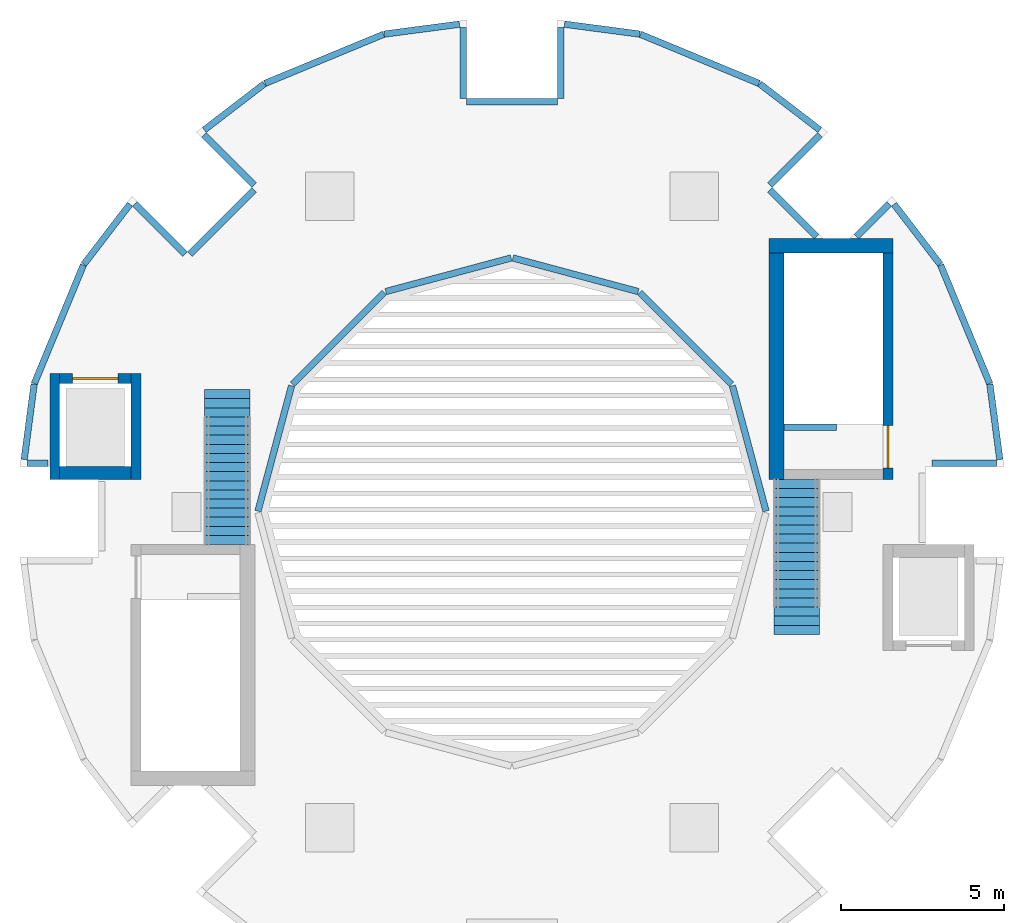
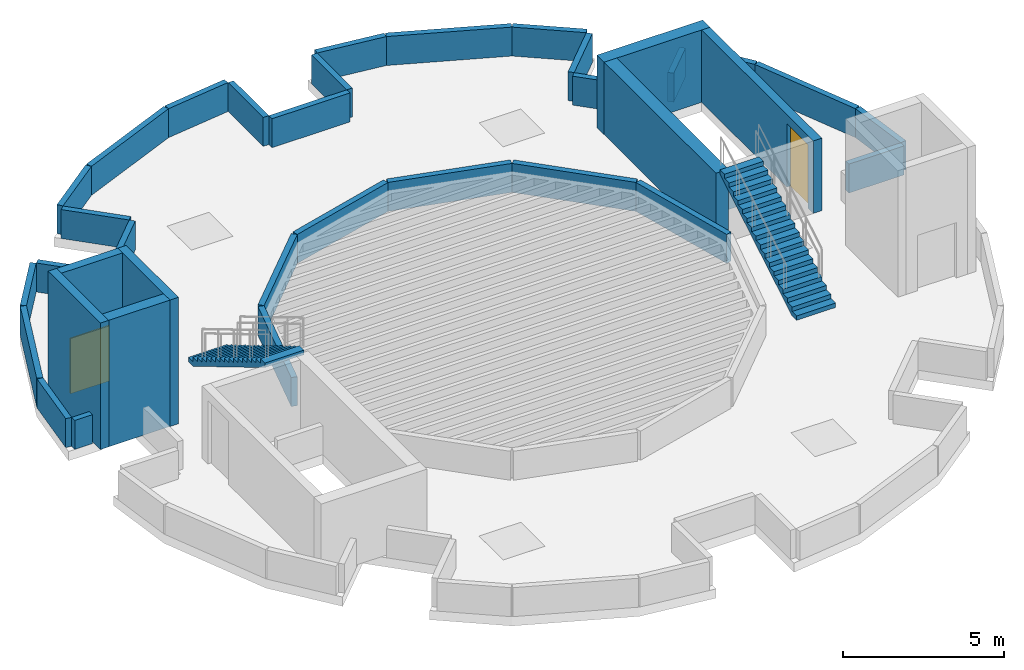
# One storey, part 2 of 4: 37 walls, 2 doors, 2 stair flights, 2 openings, 2 elements without a shape of their own.
"""IFC4 building model written with IfcOpenShell, lengths in metres."""

from ifc_helpers import new_model, si_unit, direction, frame, frame_2d, origin, place, context, subcontext, project, spatial, polyline, rectangle, outline, extrude, material, layer, layer_set, type_object, element, fill, aggregate, save


model = new_model("IFC4")

# Units and contexts
model_context = context("Model", 3, precision=1e-05, world=origin(), true_north=direction((0.0, 1.0)))
body_context = subcontext(model_context, "Body", "Model", "MODEL_VIEW")
ifc_project = project(units=[si_unit("LENGTHUNIT", "METRE"), si_unit("AREAUNIT", "SQUARE_METRE"), si_unit("VOLUMEUNIT", "CUBIC_METRE"), si_unit("PLANEANGLEUNIT", "RADIAN"), si_unit("MASSUNIT", "GRAM", prefix="KILO")], contexts=[model_context])

# Site, building, storey
site_placement = place(None, origin())
site = spatial("IfcSite", under=ifc_project, at=site_placement, CompositionType="ELEMENT")
building_placement = place(site_placement, origin())
building = spatial("IfcBuilding", under=site, at=building_placement, Name="Torre Brocal", CompositionType="ELEMENT")
storey_placement = place(building_placement, frame((0.0, 0.0, 337.60009765625)))
storey = spatial("IfcBuildingStorey", under=building, at=storey_placement, Name="RF", CompositionType="ELEMENT", Elevation=337.60009765625)

# Walls
ifc_material_1 = material(Name="Concrete C50", Category="concrete")
ifc_layer_1 = layer(ifc_material_1, 0.300048828125)
ifc_layer_set_1 = layer_set([ifc_layer_1], Name="Concrete C50")
wall_type_1 = type_object("IfcWallType", Name="CORE WALL 300 C50 UNDER 300 SLAB LIFT OVERRUN", PredefinedType="SHEAR", material=ifc_layer_set_1)
for number, where, z_axis, x_axis, name in (
    (1, (68.449951171875, 79.25, 0.0), (0.0, 0.0, 1.0), (0.0, -1.0, 0.0), "Wall CW300-50-LO"),
    (2, (65.949951171875, 79.25, 0.0), (0.0, 0.0, 1.0), (0.0, -1.0, 0.0), "Wall CW300-50-LO"),
):
    element("IfcWall", number, at=place(storey_placement, frame(where, z_axis=z_axis, x_axis=x_axis)), inside=storey, type_object=wall_type_1, Name=name, PredefinedType="SHEAR", context=body_context, shape_type="SweptSolid", body=[
        extrude(rectangle(XDim=3.25, YDim=0.300048828125, at=frame_2d((1.625, 0.0))), origin(), (0.0, 0.0, 1.0), 4.7998046875),
    ])

# Wall, opening, door
wall_1_placement = place(storey_placement, frame((68.300048828125, 79.10009765625, 0.0), z_axis=(0.0, 0.0, 1.0), x_axis=(-1.0, 0.0, 0.0)))
wall_1 = element("IfcWall", 3, at=wall_1_placement, inside=storey, type_object=wall_type_1, Name="Wall CW300-50-LO", PredefinedType="SHEAR", context=body_context, shape_type="SweptSolid", body=[
    extrude(rectangle(XDim=2.199951171875, YDim=0.300048828125, at=frame_2d((1.10009765625, 0.0))), origin(), (0.0, 0.0, 1.0), 4.7998046875),
])
opening_1_placement = place(wall_1_placement, frame((0.39990234375, 0.0, 0.0)))
opening_1 = element("IfcOpeningElement", 4, at=opening_1_placement, cuts=wall_1, Name="Opening LD14", PredefinedType="OPENING", context=body_context, shape_type="SweptSolid", body=[
    extrude(rectangle(XDim=1.39990234375, YDim=2.10009765625, at=frame_2d((0.699951171875, 1.050048828125))), frame((0.0, 0.159912109375, 0.0), z_axis=(0.0, -1.0, 0.0), x_axis=(1.0, 0.0, 0.0)), (0.0, 0.0, 1.0), 0.320068359375),
])
ifc_material_2 = material(Name="Stainless steel AISI 316", Category="steel")
door_type_1 = type_object("IfcDoorType", Name="LIFT LANDING DOOR 1400X2100", OperationType="DOUBLE_DOOR_SLIDING", PredefinedType="DOOR", material=ifc_material_2)
door_1_placement = place(opening_1_placement, origin())
door_1 = element("IfcDoor", 5, at=door_1_placement, inside=storey, type_object=door_type_1, Name="Door LD14", OperationType="DOUBLE_DOOR_SLIDING", OverallHeight=2.10009765625, OverallWidth=1.39990234375, PredefinedType="DOOR", context=body_context, shape_type="SweptSolid", body=[
    extrude(rectangle(XDim=1.39990234375, YDim=2.10009765625, at=frame_2d((0.699951171875, 1.050048828125))), frame((0.0, 0.02490234375, 0.0), z_axis=(0.0, -1.0, 0.0), x_axis=(1.0, 0.0, 0.0)), (0.0, 0.0, 1.0), 0.050048828125),
])
fill(opening_1, door_1)

ifc_material_3 = material(Name="Concrete C50", Category="concrete")
ifc_layer_2 = layer(ifc_material_3, 0.300048828125)
ifc_layer_set_2 = layer_set([ifc_layer_2], Name="Concrete C50")
wall_type_2 = type_object("IfcWallType", Name="CORE WALL 300 C50 UNDER 300 SLAB STAIR HEAD-HOUSE", PredefinedType="SHEAR", material=ifc_layer_set_2)
wall_2_placement = place(storey_placement, frame((91.550048828125, 76.0, 0.0), z_axis=(0.0, 0.0, 1.0), x_axis=(0.0, 1.0, 0.0)))
wall_2 = element("IfcWall", 6, at=wall_2_placement, inside=storey, type_object=wall_type_2, Name="Wall CW300-50-SH", PredefinedType="SHEAR", context=body_context, shape_type="SweptSolid", body=[
    extrude(rectangle(XDim=6.949951171875, YDim=0.300048828125, at=frame_2d((3.47509765625, 0.0))), origin(), (0.0, 0.0, 1.0), 2.75),
])
opening_2_placement = place(wall_2_placement, frame((0.35009765625, 0.0, 0.0)))
opening_2 = element("IfcOpeningElement", 7, at=opening_2_placement, cuts=wall_2, Name="Opening E-D14", PredefinedType="OPENING", context=body_context, shape_type="SweptSolid", body=[
    extrude(rectangle(XDim=1.300048828125, YDim=2.39990234375, at=frame_2d((0.64990234375, 1.199951171875))), frame((0.0, 0.159912109375, 0.0), z_axis=(0.0, -1.0, 0.0), x_axis=(1.0, 0.0, 0.0)), (0.0, 0.0, 1.0), 0.320068359375),
])
ifc_material_4 = material(Name="Steel A653", Category="steel")
door_type_2 = type_object("IfcDoorType", Name="STAIR EXIT DOOR FD120 1300X2400", OperationType="DOUBLE_DOOR_SINGLE_SWING", PredefinedType="DOOR", material=ifc_material_4)
door_2_placement = place(opening_2_placement, frame((1.300048828125, 0.0, 0.0), z_axis=(0.0, 0.0, 1.0), x_axis=(-1.0, 0.0, 0.0)))
door_2 = element("IfcDoor", 8, at=door_2_placement, inside=storey, type_object=door_type_2, Name="Door E-D14", OperationType="DOUBLE_DOOR_SINGLE_SWING", OverallHeight=2.39990234375, OverallWidth=1.300048828125, PredefinedType="DOOR", context=body_context, shape_type="SweptSolid", body=[
    extrude(rectangle(XDim=1.300048828125, YDim=2.39990234375, at=frame_2d((0.64990234375, 1.199951171875))), frame((0.0, 0.02490234375, 0.0), z_axis=(0.0, -1.0, 0.0), x_axis=(1.0, 0.0, 0.0)), (0.0, 0.0, 1.0), 0.050048828125),
])
fill(opening_2, door_2)

# Walls
ifc_material_5 = material(Name="Concrete C50", Category="concrete")
ifc_layer_3 = layer(ifc_material_5, 0.39990234375)
ifc_layer_set_3 = layer_set([ifc_layer_3], Name="Concrete C50")
wall_type_3 = type_object("IfcWallType", Name="CORE WALL 400 C50 UNDER 300 SLAB LIFT OVERRUN", PredefinedType="SHEAR", material=ifc_layer_set_3)
wall_3_placement = place(storey_placement, frame((68.300048828125, 76.199951171875, 0.0), z_axis=(0.0, 0.0, 1.0), x_axis=(-1.0, 0.0, 0.0)))
element("IfcWall", 9, at=wall_3_placement, inside=storey, type_object=wall_type_3, Name="Wall CW400-50-LO", PredefinedType="SHEAR", context=body_context, shape_type="SweptSolid", body=[
    extrude(rectangle(XDim=2.199951171875, YDim=0.39990234375, at=frame_2d((1.10009765625, 0.0))), origin(), (0.0, 0.0, 1.0), 4.7998046875),
])
ifc_material_6 = material(Name="Concrete C50", Category="concrete")
ifc_layer_4 = layer(ifc_material_6, 0.449951171875)
ifc_layer_set_4 = layer_set([ifc_layer_4], Name="Concrete C50")
wall_type_4 = type_object("IfcWallType", Name="CORE WALL 450 C50 UNDER 300 SLAB STAIR HEAD-HOUSE", PredefinedType="SHEAR", material=ifc_layer_set_4)
wall_4_placement = place(storey_placement, frame((88.125, 76.0, 0.0), z_axis=(0.0, 0.0, 1.0), x_axis=(0.0, 1.0, 0.0)))
element("IfcWall", 10, at=wall_4_placement, inside=storey, type_object=wall_type_4, Name="Wall CW450-50-SH", PredefinedType="SHEAR", context=body_context, shape_type="SweptSolid", body=[
    extrude(rectangle(XDim=6.949951171875, YDim=0.449951171875, at=frame_2d((3.47509765625, 0.0))), origin(), (0.0, 0.0, 1.0), 2.75),
])
wall_5_placement = place(storey_placement, frame((87.89990234375, 83.175048828125, 0.0), z_axis=(0.0, 0.0, 1.0), x_axis=(1.0, 0.0, 0.0)))
element("IfcWall", 11, at=wall_5_placement, inside=storey, type_object=wall_type_4, Name="Wall CW450-50-SH", PredefinedType="SHEAR", context=body_context, shape_type="SweptSolid", body=[
    extrude(rectangle(XDim=3.800048828125, YDim=0.449951171875, at=frame_2d((1.89990234375, 0.0))), origin(), (0.0, 0.0, 1.0), 2.75),
])
ifc_material_7 = material(Name="Concrete C40", Category="concrete")
ifc_layer_5 = layer(ifc_material_7, 0.199951171875)
ifc_layer_set_5 = layer_set([ifc_layer_5], Name="Concrete C40")
wall_type_5 = type_object("IfcWallType", Name="PARAPET WALL 200 THICK 1100 HIGH 10", PredefinedType="PARAPET", material=ifc_layer_set_5)
wall_6_placement = place(storey_placement, frame((65.739990234375, 76.5, 0.0), z_axis=(0.0, 0.0, 1.0), x_axis=(-1.0, 0.0, 0.0)))
element("IfcWall", 12, at=wall_6_placement, inside=storey, type_object=wall_type_5, Name="PARAPET WALL 1", PredefinedType="PARAPET", context=body_context, shape_type="SweptSolid", body=[
    extrude(rectangle(XDim=0.6259765625, YDim=0.199951171875, at=frame_2d((0.31298828125, 0.0))), origin(), (0.0, 0.0, 1.0), 1.099853515625),
])
wall_7_placement = place(storey_placement, frame((65.014892578125, 76.613037109375, 0.0), z_axis=(0.0, 0.0, 1.0), x_axis=(0.130500644506, 0.991448224459, 0.0)))
element("IfcWall", 13, at=wall_7_placement, inside=storey, type_object=wall_type_5, Name="PARAPET WALL 2", PredefinedType="PARAPET", context=body_context, shape_type="SweptSolid", body=[
    extrude(rectangle(XDim=2.327392578125, YDim=0.199951171875, at=frame_2d((1.16357421875, 0.0))), origin(), (0.0, 0.0, 1.0), 1.099853515625),
])
wall_8_placement = place(storey_placement, frame((65.325439453125, 78.945556640625, 0.0), z_axis=(0.0, 0.0, 1.0), x_axis=(0.382674609197, 0.923883187138, 0.0)))
element("IfcWall", 14, at=wall_8_placement, inside=storey, type_object=wall_type_5, Name="PARAPET WALL 3", PredefinedType="PARAPET", context=body_context, shape_type="SweptSolid", body=[
    extrude(rectangle(XDim=3.94091796875, YDim=0.199951171875, at=frame_2d((1.970458984375, 0.0))), origin(), (0.0, 0.0, 1.0), 1.099853515625),
])
wall_9_placement = place(storey_placement, frame((66.8466796875, 82.609130859375, 0.0), z_axis=(0.0, 0.0, 1.0), x_axis=(0.608792682289, 0.793329357827, 0.0)))
element("IfcWall", 15, at=wall_9_placement, inside=storey, type_object=wall_type_5, Name="PARAPET WALL 4", PredefinedType="PARAPET", context=body_context, shape_type="SweptSolid", body=[
    extrude(rectangle(XDim=2.3271484375, YDim=0.199951171875, at=frame_2d((1.16357421875, 0.0))), origin(), (0.0, 0.0, 1.0), 1.099853515625),
])
wall_10_placement = place(storey_placement, frame((68.413330078125, 84.46533203125, 0.0), z_axis=(0.0, 0.0, 1.0), x_axis=(0.707106781187, -0.707106781187, 0.0)))
element("IfcWall", 16, at=wall_10_placement, inside=storey, type_object=wall_type_5, Name="PARAPET WALL 5", PredefinedType="PARAPET", context=body_context, shape_type="SweptSolid", body=[
    extrude(rectangle(XDim=2.185791015625, YDim=0.199951171875, at=frame_2d((1.0927734375, 0.0))), origin(), (0.0, 0.0, 1.0), 1.099853515625),
])
wall_11_placement = place(storey_placement, frame((70.1005859375, 82.919677734375, 0.0), z_axis=(0.0, 0.0, 1.0), x_axis=(0.707106781187, 0.707106781187, 0.0)))
element("IfcWall", 17, at=wall_11_placement, inside=storey, type_object=wall_type_5, Name="PARAPET WALL 6", PredefinedType="PARAPET", context=body_context, shape_type="SweptSolid", body=[
    extrude(rectangle(XDim=2.7998046875, YDim=0.199951171875, at=frame_2d((1.39990234375, 0.0))), origin(), (0.0, 0.0, 1.0), 1.099853515625),
])
wall_12_placement = place(storey_placement, frame((72.080322265625, 85.041015625, 0.0), z_axis=(0.0, 0.0, 1.0), x_axis=(-0.707106781187, 0.707106781187, 0.0)))
element("IfcWall", 18, at=wall_12_placement, inside=storey, type_object=wall_type_5, Name="PARAPET WALL 7", PredefinedType="PARAPET", context=body_context, shape_type="SweptSolid", body=[
    extrude(rectangle(XDim=2.185791015625, YDim=0.199951171875, at=frame_2d((1.0927734375, 0.0))), origin(), (0.0, 0.0, 1.0), 1.099853515625),
])
wall_13_placement = place(storey_placement, frame((70.544677734375, 86.736572265625, 0.0), z_axis=(0.0, 0.0, 1.0), x_axis=(0.793329357827, 0.608792682289, 0.0)))
element("IfcWall", 19, at=wall_13_placement, inside=storey, type_object=wall_type_5, Name="PARAPET WALL 8", PredefinedType="PARAPET", context=body_context, shape_type="SweptSolid", body=[
    extrude(rectangle(XDim=2.3271484375, YDim=0.199951171875, at=frame_2d((1.16357421875, 0.0))), origin(), (0.0, 0.0, 1.0), 1.099853515625),
])
wall_14_placement = place(storey_placement, frame((72.41357421875, 88.16650390625, 0.0), z_axis=(0.0, 0.0, 1.0), x_axis=(0.923883187138, 0.382674609197, 0.0)))
element("IfcWall", 20, at=wall_14_placement, inside=storey, type_object=wall_type_5, Name="PARAPET WALL 9", PredefinedType="PARAPET", context=body_context, shape_type="SweptSolid", body=[
    extrude(rectangle(XDim=3.94091796875, YDim=0.199951171875, at=frame_2d((1.970458984375, 0.0))), origin(), (0.0, 0.0, 1.0), 1.099853515625),
])
wall_15_placement = place(storey_placement, frame((76.07958984375, 89.681396484375, 0.0), z_axis=(0.0, 0.0, 1.0), x_axis=(0.991448224459, 0.130500644506, 0.0)))
element("IfcWall", 21, at=wall_15_placement, inside=storey, type_object=wall_type_5, Name="PARAPET WALL 10", PredefinedType="PARAPET", context=body_context, shape_type="SweptSolid", body=[
    extrude(rectangle(XDim=2.327392578125, YDim=0.199951171875, at=frame_2d((1.16357421875, 0.0))), origin(), (0.0, 0.0, 1.0), 1.099853515625),
])
wall_16_placement = place(storey_placement, frame((78.5, 89.885986328125, 0.0), z_axis=(0.0, 0.0, 1.0), x_axis=(0.0, -1.0, 0.0)))
element("IfcWall", 22, at=wall_16_placement, inside=storey, type_object=wall_type_5, Name="PARAPET WALL 11", PredefinedType="PARAPET", context=body_context, shape_type="SweptSolid", body=[
    extrude(rectangle(XDim=2.18603515625, YDim=0.199951171875, at=frame_2d((1.093017578125, 0.0))), origin(), (0.0, 0.0, 1.0), 1.099853515625),
])
wall_17_placement = place(storey_placement, frame((78.60009765625, 87.60009765625, 0.0), z_axis=(0.0, 0.0, 1.0), x_axis=(1.0, 0.0, 0.0)))
element("IfcWall", 23, at=wall_17_placement, inside=storey, type_object=wall_type_5, Name="PARAPET WALL 12", PredefinedType="PARAPET", context=body_context, shape_type="SweptSolid", body=[
    extrude(rectangle(XDim=2.7998046875, YDim=0.199951171875, at=frame_2d((1.39990234375, 0.0))), origin(), (0.0, 0.0, 1.0), 1.099853515625),
])
wall_18_placement = place(storey_placement, frame((81.5, 87.699951171875, 0.0), z_axis=(0.0, 0.0, 1.0), x_axis=(0.0, 1.0, 0.0)))
element("IfcWall", 24, at=wall_18_placement, inside=storey, type_object=wall_type_5, Name="PARAPET WALL 13", PredefinedType="PARAPET", context=body_context, shape_type="SweptSolid", body=[
    extrude(rectangle(XDim=2.18603515625, YDim=0.199951171875, at=frame_2d((1.093017578125, 0.0))), origin(), (0.0, 0.0, 1.0), 1.099853515625),
])
wall_19_placement = place(storey_placement, frame((81.613037109375, 89.985107421875, 0.0), z_axis=(0.0, 0.0, 1.0), x_axis=(0.991448224459, -0.130500644506, 0.0)))
element("IfcWall", 25, at=wall_19_placement, inside=storey, type_object=wall_type_5, Name="PARAPET WALL 14", PredefinedType="PARAPET", context=body_context, shape_type="SweptSolid", body=[
    extrude(rectangle(XDim=2.327392578125, YDim=0.199951171875, at=frame_2d((1.16357421875, 0.0))), origin(), (0.0, 0.0, 1.0), 1.099853515625),
])
wall_20_placement = place(storey_placement, frame((83.945556640625, 89.674560546875, 0.0), z_axis=(0.0, 0.0, 1.0), x_axis=(0.923883187138, -0.382674609197, 0.0)))
element("IfcWall", 26, at=wall_20_placement, inside=storey, type_object=wall_type_5, Name="PARAPET WALL 15", PredefinedType="PARAPET", context=body_context, shape_type="SweptSolid", body=[
    extrude(rectangle(XDim=3.94091796875, YDim=0.199951171875, at=frame_2d((1.970458984375, 0.0))), origin(), (0.0, 0.0, 1.0), 1.099853515625),
])
wall_21_placement = place(storey_placement, frame((87.609130859375, 88.1533203125, 0.0), z_axis=(0.0, 0.0, 1.0), x_axis=(0.793329357827, -0.608792682289, 0.0)))
element("IfcWall", 27, at=wall_21_placement, inside=storey, type_object=wall_type_5, Name="PARAPET WALL 16", PredefinedType="PARAPET", context=body_context, shape_type="SweptSolid", body=[
    extrude(rectangle(XDim=2.3271484375, YDim=0.199951171875, at=frame_2d((1.16357421875, 0.0))), origin(), (0.0, 0.0, 1.0), 1.099853515625),
])
wall_22_placement = place(storey_placement, frame((89.46533203125, 86.586669921875, 0.0), z_axis=(0.0, 0.0, 1.0), x_axis=(-0.707106781187, -0.707106781187, 0.0)))
element("IfcWall", 28, at=wall_22_placement, inside=storey, type_object=wall_type_5, Name="PARAPET WALL 17", PredefinedType="PARAPET", context=body_context, shape_type="SweptSolid", body=[
    extrude(rectangle(XDim=2.185791015625, YDim=0.199951171875, at=frame_2d((1.0927734375, 0.0))), origin(), (0.0, 0.0, 1.0), 1.099853515625),
])
wall_23_placement = place(storey_placement, frame((87.919677734375, 84.8994140625, 0.0), z_axis=(0.0, 0.0, 1.0), x_axis=(0.707106781187, -0.707106781187, 0.0)))
element("IfcWall", 29, at=wall_23_placement, inside=storey, type_object=wall_type_5, Name="PARAPET WALL 18", PredefinedType="PARAPET", context=body_context, shape_type="SweptSolid", body=[
    extrude(rectangle(XDim=2.03564453125, YDim=0.199951171875, at=frame_2d((1.017822265625, 0.0))), origin(), (0.0, 0.0, 1.0), 1.099853515625),
])
wall_24_placement = place(storey_placement, frame((90.581298828125, 83.4599609375, 0.0), z_axis=(0.0, 0.0, 1.0), x_axis=(0.707106781187, 0.707106781187, 0.0)))
element("IfcWall", 30, at=wall_24_placement, inside=storey, type_object=wall_type_5, Name="PARAPET WALL 1", PredefinedType="PARAPET", context=body_context, shape_type="SweptSolid", body=[
    extrude(rectangle(XDim=1.421875, YDim=0.199951171875, at=frame_2d((0.7109375, 0.0))), origin(), (0.0, 0.0, 1.0), 1.099853515625),
])
wall_25_placement = place(storey_placement, frame((91.736572265625, 84.455322265625, 0.0), z_axis=(0.0, 0.0, 1.0), x_axis=(0.608792682289, -0.793329357827, 0.0)))
element("IfcWall", 31, at=wall_25_placement, inside=storey, type_object=wall_type_5, Name="PARAPET WALL 2", PredefinedType="PARAPET", context=body_context, shape_type="SweptSolid", body=[
    extrude(rectangle(XDim=2.3271484375, YDim=0.199951171875, at=frame_2d((1.16357421875, 0.0))), origin(), (0.0, 0.0, 1.0), 1.099853515625),
])
wall_26_placement = place(storey_placement, frame((93.16650390625, 82.58642578125, 0.0), z_axis=(0.0, 0.0, 1.0), x_axis=(0.382674609197, -0.923883187138, 0.0)))
element("IfcWall", 32, at=wall_26_placement, inside=storey, type_object=wall_type_5, Name="PARAPET WALL 3", PredefinedType="PARAPET", context=body_context, shape_type="SweptSolid", body=[
    extrude(rectangle(XDim=3.94091796875, YDim=0.199951171875, at=frame_2d((1.970458984375, 0.0))), origin(), (0.0, 0.0, 1.0), 1.099853515625),
])
wall_27_placement = place(storey_placement, frame((94.681396484375, 78.92041015625, 0.0), z_axis=(0.0, 0.0, 1.0), x_axis=(0.130500644506, -0.991448224459, 0.0)))
element("IfcWall", 33, at=wall_27_placement, inside=storey, type_object=wall_type_5, Name="PARAPET WALL 4", PredefinedType="PARAPET", context=body_context, shape_type="SweptSolid", body=[
    extrude(rectangle(XDim=2.327392578125, YDim=0.199951171875, at=frame_2d((1.16357421875, 0.0))), origin(), (0.0, 0.0, 1.0), 1.099853515625),
])
wall_28_placement = place(storey_placement, frame((94.885986328125, 76.5, 0.0), z_axis=(0.0, 0.0, 1.0), x_axis=(-1.0, 0.0, 0.0)))
element("IfcWall", 34, at=wall_28_placement, inside=storey, type_object=wall_type_5, Name="PARAPET WALL 5", PredefinedType="PARAPET", context=body_context, shape_type="SweptSolid", body=[
    extrude(rectangle(XDim=1.986083984375, YDim=0.199951171875, at=frame_2d((0.9931640625, 0.0))), origin(), (0.0, 0.0, 1.0), 1.099853515625),
])
for number, where, z_axis, x_axis, name in (
    (35, (86.77099609375, 78.87939453125, 0.0), (0.0, 0.0, 1.0), (0.25885843843, -0.965915270018, 0.0), "PARAPET WALL 1"),
    (36, (72.1962890625, 75.02587890625, 0.0), (0.0, 0.0, 1.0), (0.25885843843, 0.965915270018, 0.0), "PARAPET WALL 8"),
):
    element("IfcWall", number, at=place(storey_placement, frame(where, z_axis=z_axis, x_axis=x_axis)), inside=storey, type_object=wall_type_5, Name=name, PredefinedType="PARAPET", context=body_context, shape_type="SweptSolid", body=[
        extrude(rectangle(XDim=3.989501953125, YDim=0.199951171875, at=frame_2d((1.99462890625, 0.0))), origin(), (0.0, 0.0, 1.0), 1.099853515625),
    ])
wall_29_placement = place(storey_placement, frame((73.2548828125, 78.92431640625, 0.0), z_axis=(0.0, 0.0, 1.0), x_axis=(0.707106781187, 0.707106781187, 0.0)))
element("IfcWall", 37, at=wall_29_placement, inside=storey, type_object=wall_type_5, Name="PARAPET WALL 9", PredefinedType="PARAPET", context=body_context, shape_type="SweptSolid", body=[
    extrude(rectangle(XDim=3.9892578125, YDim=0.199951171875, at=frame_2d((1.99462890625, 0.0))), origin(), (0.0, 0.0, 1.0), 1.099853515625),
])
for number, where, z_axis, x_axis, name in (
    (38, (76.12060546875, 81.77099609375, 0.0), (0.0, 0.0, 1.0), (0.965915270018, 0.25885843843, 0.0), "PARAPET WALL 10"),
    (39, (80.02587890625, 82.8037109375, 0.0), (0.0, 0.0, 1.0), (0.965915270018, -0.25885843843, 0.0), "PARAPET WALL 11"),
):
    element("IfcWall", number, at=place(storey_placement, frame(where, z_axis=z_axis, x_axis=x_axis)), inside=storey, type_object=wall_type_5, Name=name, PredefinedType="PARAPET", context=body_context, shape_type="SweptSolid", body=[
        extrude(rectangle(XDim=3.989501953125, YDim=0.199951171875, at=frame_2d((1.99462890625, 0.0))), origin(), (0.0, 0.0, 1.0), 1.099853515625),
    ])
wall_30_placement = place(storey_placement, frame((83.92431640625, 81.7451171875, 0.0), z_axis=(0.0, 0.0, 1.0), x_axis=(0.707106781187, -0.707106781187, 0.0)))
element("IfcWall", 40, at=wall_30_placement, inside=storey, type_object=wall_type_5, Name="PARAPET WALL 12", PredefinedType="PARAPET", context=body_context, shape_type="SweptSolid", body=[
    extrude(rectangle(XDim=3.9892578125, YDim=0.199951171875, at=frame_2d((1.99462890625, 0.0))), origin(), (0.0, 0.0, 1.0), 1.099853515625),
])
ifc_material_8 = material(Name="Concrete C40", Category="concrete")
ifc_layer_6 = layer(ifc_material_8, 0.199951171875)
ifc_layer_set_6 = layer_set([ifc_layer_6], Name="Concrete C40")
wall_type_6 = type_object("IfcWallType", Name="RC GUARD UPSTAND 200", PredefinedType="STANDARD", material=ifc_layer_set_6)
wall_31_placement = place(storey_placement, frame((88.35009765625, 77.60009765625, 0.0), z_axis=(0.0, 0.0, 1.0), x_axis=(1.0, 0.0, 0.0)))
element("IfcWall", 41, at=wall_31_placement, inside=storey, type_object=wall_type_6, Name="Wall GU200", PredefinedType="STANDARD", context=body_context, shape_type="SweptSolid", body=[
    extrude(rectangle(XDim=1.619873046875, YDim=0.199951171875, at=frame_2d((0.81005859375, 0.0))), origin(), (0.0, 0.0, 1.0), 1.099853515625),
])

# Stair, stair flight
ifc_material_9 = material(Name="Steel A992", Category="steel")
stair_type = type_object("IfcStairType", Name="ROOF ACCESS STAIR", PredefinedType="STRAIGHT_RUN_STAIR", material=ifc_material_9)
stair_1_placement = place(storey_placement, origin())
stair_1 = element("IfcStair", 42, at=stair_1_placement, inside=storey, type_object=stair_type, Name="ROOF ACCESS STAIR ST5", PredefinedType="STRAIGHT_RUN_STAIR")
ifc_material_10 = material(Name="Steel A992", Category="steel")
ifc_layer_7 = layer(ifc_material_10, 0.14990234375)
ifc_layer_set_7 = layer_set([ifc_layer_7], Name="Steel A992")
stair_flight_type = type_object("IfcStairFlightType", Name="ROOF STAIR FLIGHT", PredefinedType="STRAIGHT", material=ifc_layer_set_7)
stair_flight_1_placement = place(storey_placement, frame((88.75, 71.239990234375, 0.0), z_axis=(0.0, 0.0, 1.0), x_axis=(0.0, 1.0, 0.0)))
stair_flight_1 = element("IfcStairFlight", 43, at=stair_flight_1_placement, type_object=stair_flight_type, Name="ST5 flight 1", NumberOfRisers=18, NumberOfTreads=17, PredefinedType="STRAIGHT", RiserHeight=0.166666667, TreadLength=0.28, context=body_context, shape_type="SweptSolid", body=[
    extrude(outline(polyline([(0.0, 0.0), (0.0, 0.166748046875), (0.280029296875, 0.166748046875), (0.280029296875, 0.333251953125), (0.56005859375, 0.333251953125), (0.56005859375, 0.5), (0.840087890625, 0.5), (0.840087890625, 0.666748046875), (1.1201171875, 0.666748046875), (1.1201171875, 0.833251953125), (1.39990234375, 0.833251953125), (1.39990234375, 1.0), (1.679931640625, 1.0), (1.679931640625, 1.166748046875), (1.9599609375, 1.166748046875), (1.9599609375, 1.333251953125), (2.239990234375, 1.333251953125), (2.239990234375, 1.5), (2.52001953125, 1.5), (2.52001953125, 1.666748046875), (2.800048828125, 1.666748046875), (2.800048828125, 1.833251953125), (3.080078125, 1.833251953125), (3.080078125, 2.0), (3.360107421875, 2.0), (3.360107421875, 2.166748046875), (3.639892578125, 2.166748046875), (3.639892578125, 2.333251953125), (3.919921875, 2.333251953125), (3.919921875, 2.5), (4.199951171875, 2.5), (4.199951171875, 2.666748046875), (4.47998046875, 2.666748046875), (4.47998046875, 2.833251953125), (4.760009765625, 2.833251953125), (4.760009765625, 3.0), (4.760009765625, 2.658935546875), (0.29296875, 0.0), (0.0, 0.0)])), frame((0.0, 0.699951171875, 0.0), z_axis=(0.0, -1.0, 0.0), x_axis=(1.0, 0.0, 0.0)), (0.0, 0.0, 1.0), 1.39990234375),
])
aggregate(stair_1, [stair_flight_1])

stair_2_placement = place(storey_placement, origin())
stair_2 = element("IfcStair", 44, at=stair_2_placement, inside=storey, type_object=stair_type, Name="ROOF ACCESS STAIR ST6", PredefinedType="STRAIGHT_RUN_STAIR")
stair_flight_2_placement = place(storey_placement, frame((71.25, 78.760009765625, 0.0), z_axis=(0.0, 0.0, 1.0), x_axis=(0.0, -1.0, 0.0)))
stair_flight_2 = element("IfcStairFlight", 45, at=stair_flight_2_placement, type_object=stair_flight_type, Name="ST6 flight 1", NumberOfRisers=18, NumberOfTreads=17, PredefinedType="STRAIGHT", RiserHeight=0.166666667, TreadLength=0.28, context=body_context, shape_type="SweptSolid", body=[
    extrude(outline(polyline([(0.0, 0.0), (0.0, 0.166748046875), (0.280029296875, 0.166748046875), (0.280029296875, 0.333251953125), (0.56005859375, 0.333251953125), (0.56005859375, 0.5), (0.840087890625, 0.5), (0.840087890625, 0.666748046875), (1.1201171875, 0.666748046875), (1.1201171875, 0.833251953125), (1.39990234375, 0.833251953125), (1.39990234375, 1.0), (1.679931640625, 1.0), (1.679931640625, 1.166748046875), (1.9599609375, 1.166748046875), (1.9599609375, 1.333251953125), (2.239990234375, 1.333251953125), (2.239990234375, 1.5), (2.52001953125, 1.5), (2.52001953125, 1.666748046875), (2.800048828125, 1.666748046875), (2.800048828125, 1.833251953125), (3.080078125, 1.833251953125), (3.080078125, 2.0), (3.360107421875, 2.0), (3.360107421875, 2.166748046875), (3.639892578125, 2.166748046875), (3.639892578125, 2.333251953125), (3.919921875, 2.333251953125), (3.919921875, 2.5), (4.199951171875, 2.5), (4.199951171875, 2.666748046875), (4.47998046875, 2.666748046875), (4.47998046875, 2.833251953125), (4.760009765625, 2.833251953125), (4.760009765625, 3.0), (4.760009765625, 2.658935546875), (0.29296875, 0.0), (0.0, 0.0)])), frame((0.0, 0.699951171875, 0.0), z_axis=(0.0, -1.0, 0.0), x_axis=(1.0, 0.0, 0.0)), (0.0, 0.0, 1.0), 1.39990234375),
])
aggregate(stair_2, [stair_flight_2])

save(model, "model.ifc")
